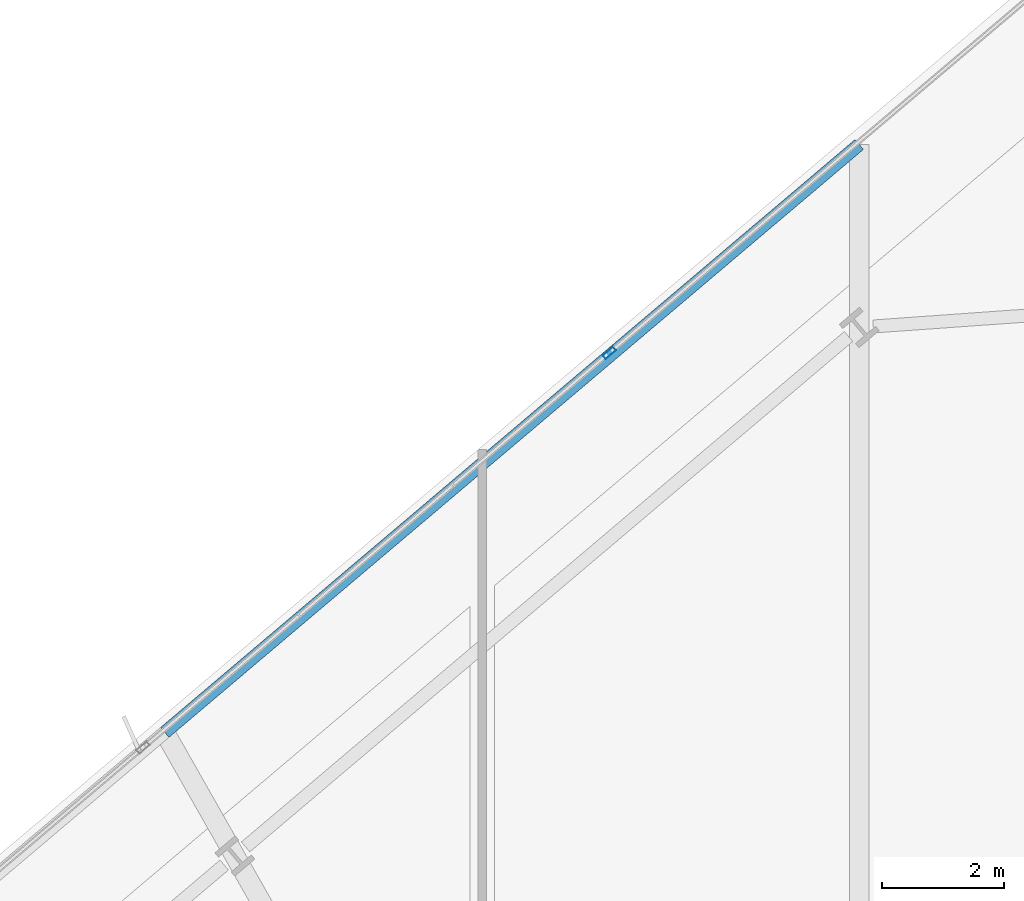
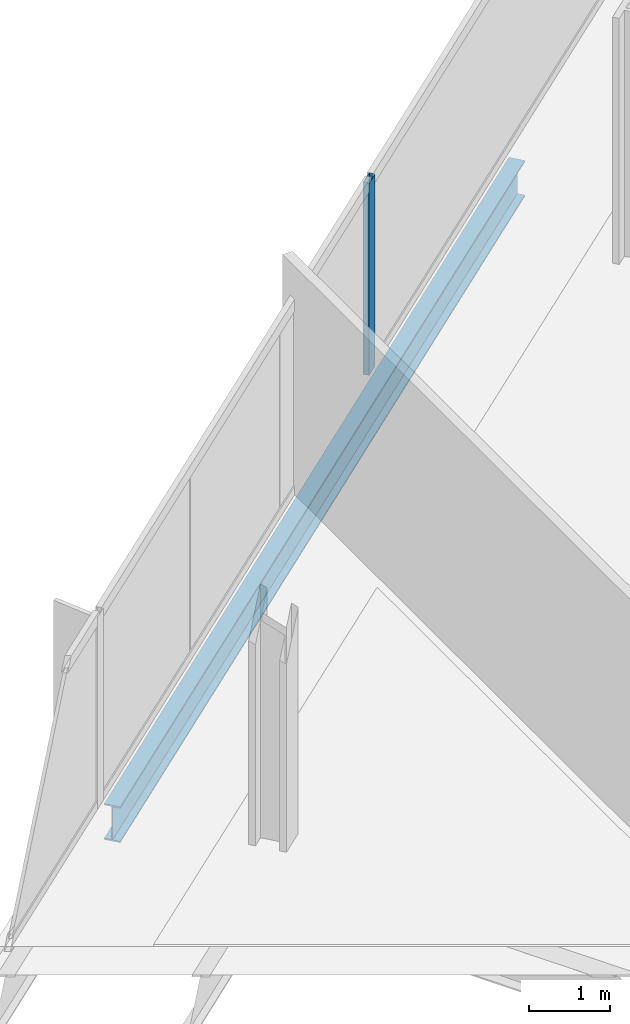
# One storey, part 18 of 34: 1 beam, 1 member, 1 element without a shape of its own.
"""IFC4 building model written with IfcOpenShell, lengths in metres."""

from ifc_helpers import new_model, si_unit, direction, frame, origin, origin_2d, place, context, subcontext, project, spatial, hollow_rectangle, i_section, extrude, material, material_profile, profile_set, type_object, element, aggregate, save


model = new_model("IFC4")

# Units and contexts
model_context = context("Model", 3, precision=1e-05, world=origin(), true_north=direction((0.0, 1.0)))
body_context = subcontext(model_context, "Body", "Model", "MODEL_VIEW")
ifc_project = project(units=[si_unit("LENGTHUNIT", "METRE"), si_unit("AREAUNIT", "SQUARE_METRE"), si_unit("VOLUMEUNIT", "CUBIC_METRE"), si_unit("PLANEANGLEUNIT", "RADIAN"), si_unit("MASSUNIT", "GRAM", prefix="KILO")], contexts=[model_context])

# Site, building, storey
site_placement = place(None, origin())
site = spatial("IfcSite", under=ifc_project, at=site_placement, CompositionType="ELEMENT")
building_placement = place(site_placement, origin())
building = spatial("IfcBuilding", under=site, at=building_placement, Name="Haldenkirk Collegiate Tower", CompositionType="ELEMENT")
storey_placement = place(building_placement, frame((0.0, 0.0, 163.199951171875)))
storey = spatial("IfcBuildingStorey", under=building, at=storey_placement, Name="L40", CompositionType="ELEMENT", Elevation=163.199951171875)

# Beam
ifc_material_1 = material(Name="Steel ASTM A992 Grade 50", Category="steel")
ifc_material_profile_1 = material_profile(ifc_material_1, i_section(OverallWidth=0.2119140625, OverallDepth=0.5439453125, WebThickness=0.01318359375, FlangeThickness=0.021240234375, at=origin_2d()), Name="W21X83")
ifc_profile_set_1 = profile_set([ifc_material_profile_1], Name="Steel ASTM A992 Grade 50")
beam_type = type_object("IfcBeamType", Name="BM-SPANDREL-W21X83", PredefinedType="SPANDREL", material=ifc_profile_set_1)
beam_placement = place(storey_placement, frame((32.657470703125, 53.606689453125, -0.56201171875), z_axis=(-0.763236046619, -0.646119754489, 0.0), x_axis=(0.646119754489, -0.763236046619, 0.0)))
element("IfcBeam", 1, at=beam_placement, inside=storey, type_object=beam_type, Name="L40 outer facade edge beam 3A", PredefinedType="SPANDREL", context=body_context, shape_type="SweptSolid", body=[
    extrude(i_section(OverallWidth=0.2119140625, OverallDepth=0.5439453125, WebThickness=0.01318359375, FlangeThickness=0.021240234375, at=origin_2d()), origin(), (0.0, 0.0, 1.0), 14.85693359375),
])

# Curtain wall, member
ifc_material_2 = material(Name="Anodised architectural bronze aluminium", Category="aluminium")
curtain_wall_type = type_object("IfcCurtainWallType", Name="CW-SYS1-CONVEX-LOW", PredefinedType="USERDEFINED", material=ifc_material_2)
curtain_wall_placement = place(storey_placement, origin())
curtain_wall = element("IfcCurtainWall", 2, at=curtain_wall_placement, inside=storey, type_object=curtain_wall_type, Name="L40 Lower tower convex bronze-framed unitised curtain wall", ObjectType="UNITISED CURTAIN WALL", PredefinedType="USERDEFINED")
ifc_material_profile_2 = material_profile(ifc_material_2, hollow_rectangle(XDim=0.080078125, YDim=0.219970703125, WallThickness=0.0048828125, at=origin_2d()), Name="CW-MUL-1A")
ifc_profile_set_2 = profile_set([ifc_material_profile_2], Name="Anodised architectural bronze aluminium")
member_type = type_object("IfcMemberType", Name="CW-MUL-1A", PredefinedType="MULLION", material=ifc_profile_set_2)
member_placement = place(storey_placement, frame((28.577880859375, 50.20556640625, 0.0), z_axis=(0.0, 0.0, 1.0), x_axis=(-0.646124454254, 0.763232067994, 0.0)))
member = element("IfcMember", 3, at=member_placement, type_object=member_type, Name="CW-1A mullion 4", PredefinedType="MULLION", context=body_context, shape_type="SweptSolid", body=[
    extrude(hollow_rectangle(XDim=0.080078125, YDim=0.219970703125, WallThickness=0.0048828125, at=origin_2d()), origin(), (0.0, 0.0, 1.0), 2.9111328125),
])
aggregate(curtain_wall, [member])

save(model, "model.ifc")
